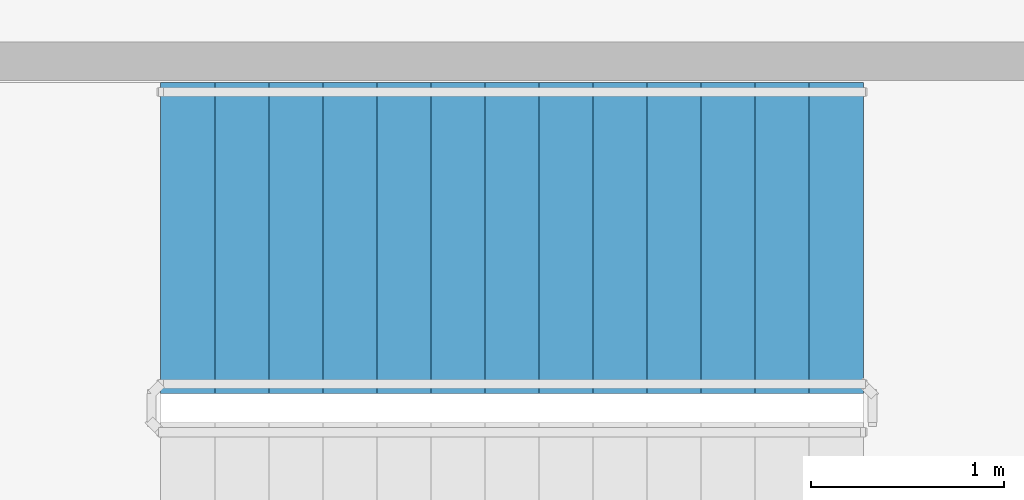
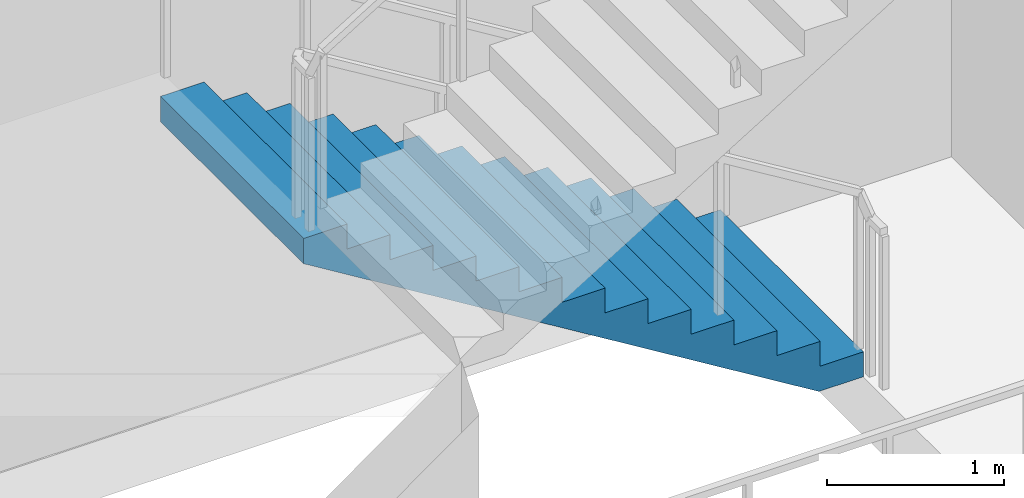
# One storey, part 19 of 25: 1 stair flight, 1 element without a shape of its own.
"""IFC4 building model written with IfcOpenShell, lengths in metres."""

from ifc_helpers import new_model, si_unit, direction, frame, origin, place, context, subcontext, project, spatial, polyline, outline, extrude, material, type_object, element, aggregate, save


model = new_model("IFC4")

# Units and contexts
model_context = context("Model", 3, precision=1e-05, world=origin(), true_north=direction((0.0, 1.0)))
body_context = subcontext(model_context, "Body", "Model", "MODEL_VIEW")
ifc_project = project(units=[si_unit("LENGTHUNIT", "METRE"), si_unit("AREAUNIT", "SQUARE_METRE"), si_unit("VOLUMEUNIT", "CUBIC_METRE"), si_unit("PLANEANGLEUNIT", "RADIAN"), si_unit("MASSUNIT", "GRAM", prefix="KILO")], contexts=[model_context])

# Site, building, storey
site_placement = place(None, origin())
site = spatial("IfcSite", under=ifc_project, at=site_placement, CompositionType="ELEMENT")
building_placement = place(site_placement, origin())
building = spatial("IfcBuilding", under=site, at=building_placement, Name="Chenar Terraces", CompositionType="ELEMENT")
storey_placement = place(building_placement, frame((0.0, 0.0, 21.60009765625)))
storey = spatial("IfcBuildingStorey", under=building, at=storey_placement, Name="L04", CompositionType="ELEMENT", Elevation=21.60009765625)

# Stair, stair flight
ifc_material_1 = material(Name="Reinforced concrete C40/50", Category="concrete")
stair_type = type_object("IfcStairType", Name="Core stair 1400 half-turn", PredefinedType="HALF_TURN_STAIR", material=ifc_material_1)
stair_placement = place(storey_placement, origin())
stair = element("IfcStair", 1, at=stair_placement, inside=storey, type_object=stair_type, Name="L04 Exit stair PS3", PredefinedType="HALF_TURN_STAIR")
ifc_material_2 = material(Name="Reinforced concrete C40/50", Category="concrete")
stair_flight_type = type_object("IfcStairFlightType", Name="Core stair flight 1400", PredefinedType="STRAIGHT", material=ifc_material_2)
stair_flight_placement = place(storey_placement, frame((10.985107421875, 58.6826171875, 0.0), z_axis=(0.0, 0.0, 1.0), x_axis=(-1.0, 0.0, 0.0)))
stair_flight = element("IfcStairFlight", 2, at=stair_flight_placement, type_object=stair_flight_type, Name="PS3 flight 1", NumberOfRisers=14, NumberOfTreads=13, PredefinedType="STRAIGHT", RiserHeight=0.171428571, TreadLength=0.28, context=body_context, shape_type="SweptSolid", body=[
    extrude(outline(polyline([(-0.0029296875, 0.0), (-0.0029296875, 0.17138671875), (0.0, 0.17138671875), (0.280029296875, 0.17138671875), (0.280029296875, 0.3427734375), (0.56005859375, 0.3427734375), (0.56005859375, 0.514404296875), (0.840087890625, 0.514404296875), (0.840087890625, 0.685791015625), (1.1201171875, 0.685791015625), (1.1201171875, 0.857177734375), (1.39990234375, 0.857177734375), (1.39990234375, 1.028564453125), (1.679931640625, 1.028564453125), (1.679931640625, 1.199951171875), (1.9599609375, 1.199951171875), (1.9599609375, 1.371337890625), (2.239990234375, 1.371337890625), (2.239990234375, 1.54296875), (2.52001953125, 1.54296875), (2.52001953125, 1.71435546875), (2.800048828125, 1.71435546875), (2.800048828125, 1.8857421875), (3.080078125, 1.8857421875), (3.080078125, 2.05712890625), (3.360107421875, 2.05712890625), (3.360107421875, 2.228515625), (3.639892578125, 2.228515625), (3.64306640625, 2.228515625), (3.64306640625, 2.052734375), (3.639892578125, 2.052734375), (0.287109375, 0.0), (-0.0029296875, 0.0)])), frame((0.0, 0.8076171875, 0.0), z_axis=(0.0, -1.0, 0.0), x_axis=(1.0, 0.0, 0.0)), (0.0, 0.0, 1.0), 1.614990234375),
])
aggregate(stair, [stair_flight])

save(model, "model.ifc")
